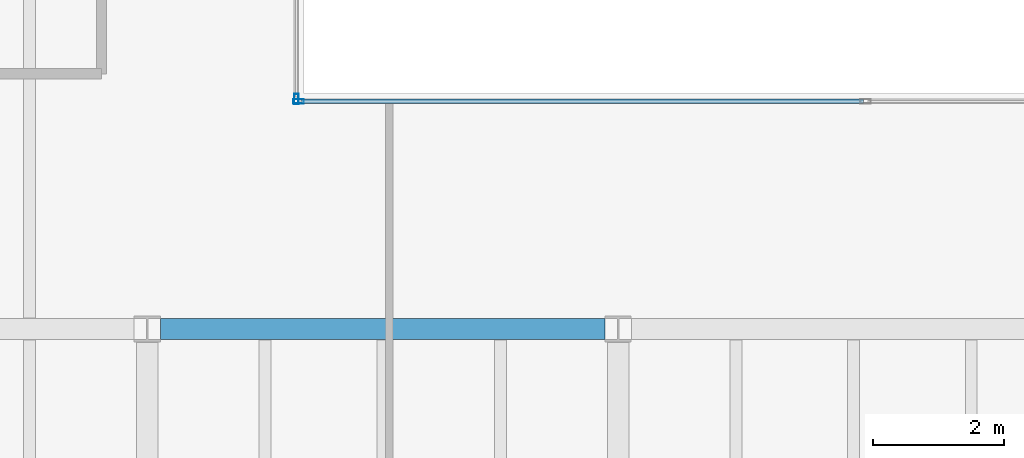
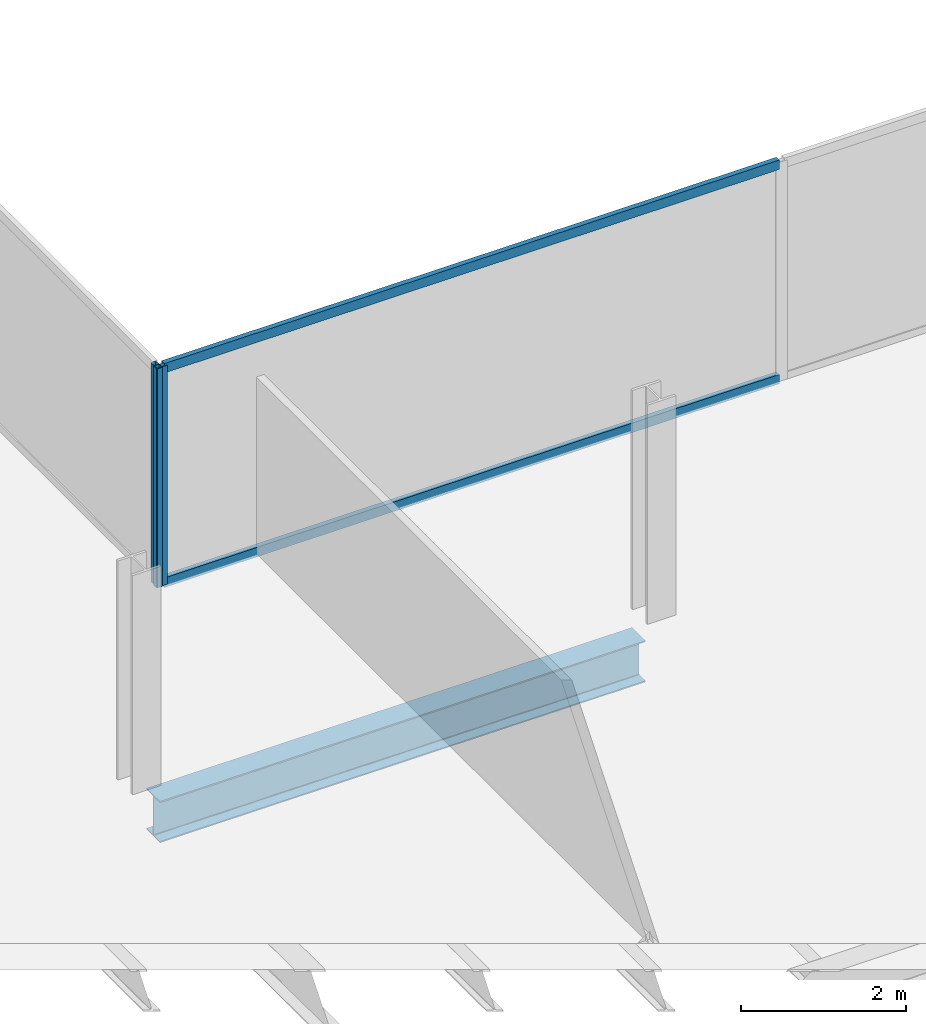
# One storey, part 8 of 23: 4 members, 1 beam, 2 elements without a shape of their own.
"""IFC4 building model written with IfcOpenShell, lengths in metres."""

from ifc_helpers import new_model, si_unit, direction, frame, origin, origin_2d, place, context, subcontext, project, spatial, hollow_rectangle, i_section, extrude, material, material_profile, profile_set, type_object, element, aggregate, save


model = new_model("IFC4")

# Units and contexts
model_context = context("Model", 3, precision=1e-05, world=origin(), true_north=direction((0.0, 1.0)))
body_context = subcontext(model_context, "Body", "Model", "MODEL_VIEW")
ifc_project = project(units=[si_unit("LENGTHUNIT", "METRE"), si_unit("AREAUNIT", "SQUARE_METRE"), si_unit("VOLUMEUNIT", "CUBIC_METRE"), si_unit("PLANEANGLEUNIT", "RADIAN"), si_unit("MASSUNIT", "GRAM", prefix="KILO")], contexts=[model_context])

# Site, building, storey
site_placement = place(None, origin())
site = spatial("IfcSite", under=ifc_project, at=site_placement, CompositionType="ELEMENT")
building_placement = place(site_placement, origin())
building = spatial("IfcBuilding", under=site, at=building_placement, Name="Cobrela Telecom Tower", CompositionType="ELEMENT")
storey_placement = place(building_placement, frame((0.0, 0.0, 201.25)))
storey = spatial("IfcBuildingStorey", under=building, at=storey_placement, Name="L51", CompositionType="ELEMENT", Elevation=201.25)

# Beam
ifc_material_1 = material(Name="Steel ASTM A992 Grade 50", Category="steel")
ifc_material_profile_1 = material_profile(ifc_material_1, i_section(OverallWidth=0.324951171875, OverallDepth=0.612060546875, WebThickness=0.0126953125, FlangeThickness=0.01904296875, FilletRadius=0.014892578125, at=origin_2d()), Name="W24X104")
ifc_profile_set_1 = profile_set([ifc_material_profile_1], Name="Steel ASTM A992 Grade 50")
beam_type = type_object("IfcBeamType", Name="BM-GIRD-07", PredefinedType="USERDEFINED", material=ifc_profile_set_1)
beam_placement = place(storey_placement, frame((21.804443359375, 21.60009765625, -0.56591796875), z_axis=(1.0, 0.0, 0.0), x_axis=(0.0, 1.0, 0.0)))
element("IfcBeam", 1, at=beam_placement, inside=storey, type_object=beam_type, Name="L51 Primary Girder X16", ObjectType="GIRDER", PredefinedType="USERDEFINED", context=body_context, shape_type="SweptSolid", body=[
    extrude(i_section(OverallWidth=0.324951171875, OverallDepth=0.612060546875, WebThickness=0.0126953125, FlangeThickness=0.01904296875, FilletRadius=0.014892578125, at=origin_2d()), origin(), (0.0, 0.0, 1.0), 6.791015625),
])

# Curtain wall, member
ifc_material_2 = material(Name="Anodized Bronze Aluminium 6063-T6", Category="aluminium")
curtain_wall_type = type_object("IfcCurtainWallType", Name="CW-SYS-OFF-LO", PredefinedType="USERDEFINED", material=ifc_material_2)
curtain_wall_1_placement = place(storey_placement, origin())
curtain_wall_1 = element("IfcCurtainWall", 2, at=curtain_wall_1_placement, inside=storey, type_object=curtain_wall_type, Name="L51 Unitised Bronze Curtain Wall 10", ObjectType="UNITISED CURTAIN WALL", PredefinedType="USERDEFINED")
ifc_material_profile_2 = material_profile(ifc_material_2, hollow_rectangle(XDim=0.070068359375, YDim=0.159912109375, WallThickness=0.00390625, at=origin_2d()), Name="ALU 70x160x4")
ifc_profile_set_2 = profile_set([ifc_material_profile_2], Name="Anodized Bronze Aluminium 6063-T6")
member_type_1 = type_object("IfcMemberType", Name="CW-SYS-OFF-LO-MUL", PredefinedType="MULLION", material=ifc_profile_set_2)
member_1_placement = place(storey_placement, frame((23.8798828125, 25.114990234375, 0.0), z_axis=(0.0, 0.0, 1.0), x_axis=(1.0, 0.0, 0.0)))
member_1 = element("IfcMember", 3, at=member_1_placement, type_object=member_type_1, Name="CW-OFF-LO mullion 3", PredefinedType="MULLION", context=body_context, shape_type="SweptSolid", body=[
    extrude(hollow_rectangle(XDim=0.070068359375, YDim=0.159912109375, WallThickness=0.00390625, at=origin_2d()), origin(), (0.0, 0.0, 1.0), 3.239990234375),
])
aggregate(curtain_wall_1, [member_1])

# Curtain wall, members
curtain_wall_2_placement = place(storey_placement, origin())
curtain_wall_2 = element("IfcCurtainWall", 4, at=curtain_wall_2_placement, inside=storey, type_object=curtain_wall_type, Name="L51 Unitised Bronze Curtain Wall 11", ObjectType="UNITISED CURTAIN WALL", PredefinedType="USERDEFINED")
member_2_placement = place(storey_placement, frame((23.9150390625, 25.080078125, 0.0), z_axis=(0.0, 0.0, 1.0), x_axis=(0.0, 1.0, 0.0)))
member_2 = element("IfcMember", 5, at=member_2_placement, type_object=member_type_1, Name="CW-OFF-LO mullion 1", PredefinedType="MULLION", context=body_context, shape_type="SweptSolid", body=[
    extrude(hollow_rectangle(XDim=0.070068359375, YDim=0.159912109375, WallThickness=0.00390625, at=origin_2d()), origin(), (0.0, 0.0, 1.0), 3.239990234375),
])
ifc_material_profile_3 = material_profile(ifc_material_2, hollow_rectangle(XDim=0.070068359375, YDim=0.139892578125, WallThickness=0.00390625, at=origin_2d()), Name="ALU 70x140x4")
ifc_profile_set_3 = profile_set([ifc_material_profile_3], Name="Anodized Bronze Aluminium 6063-T6")
member_type_2 = type_object("IfcMemberType", Name="CW-SYS-OFF-LO-TRN", PredefinedType="USERDEFINED", material=ifc_profile_set_3)
member_3_placement = place(storey_placement, frame((23.949951171875, 25.080078125, 0.034912109375), z_axis=(1.0, 0.0, 0.0), x_axis=(0.0, 1.0, 0.0)))
member_3 = element("IfcMember", 6, at=member_3_placement, type_object=member_type_2, Name="CW-OFF-LO transom 1.1", ObjectType="TRANSOM", PredefinedType="USERDEFINED", context=body_context, shape_type="SweptSolid", body=[
    extrude(hollow_rectangle(XDim=0.070068359375, YDim=0.139892578125, WallThickness=0.00390625, at=origin_2d()), origin(), (0.0, 0.0, 1.0), 8.60009765625),
])
member_4_placement = place(storey_placement, frame((23.949951171875, 25.080078125, 3.205078125), z_axis=(1.0, 0.0, 0.0), x_axis=(0.0, 1.0, 0.0)))
member_4 = element("IfcMember", 7, at=member_4_placement, type_object=member_type_2, Name="CW-OFF-LO transom 1.2", ObjectType="TRANSOM", PredefinedType="USERDEFINED", context=body_context, shape_type="SweptSolid", body=[
    extrude(hollow_rectangle(XDim=0.070068359375, YDim=0.139892578125, WallThickness=0.00390625, at=origin_2d()), origin(), (0.0, 0.0, 1.0), 8.60009765625),
])
aggregate(curtain_wall_2, [member_2, member_3, member_4])

save(model, "model.ifc")
